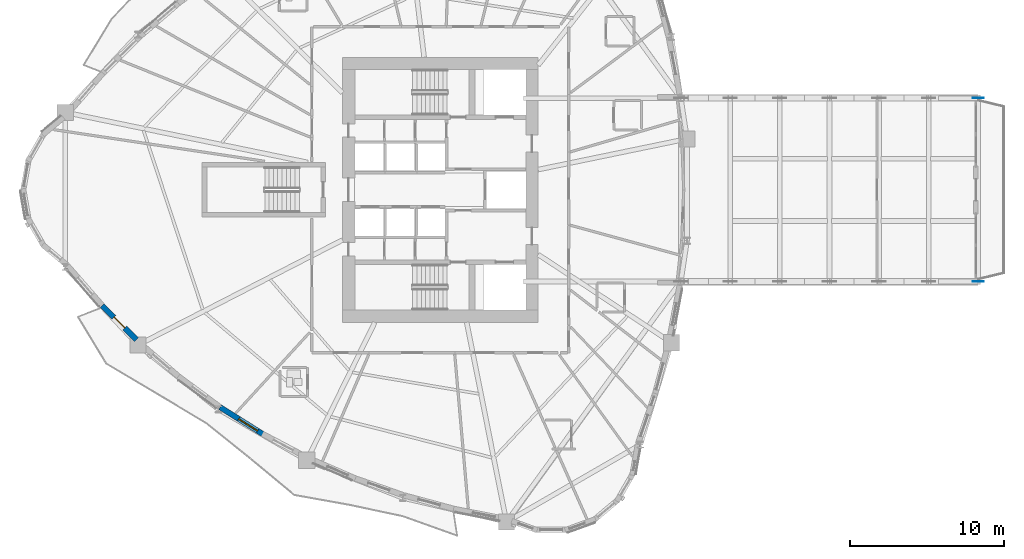
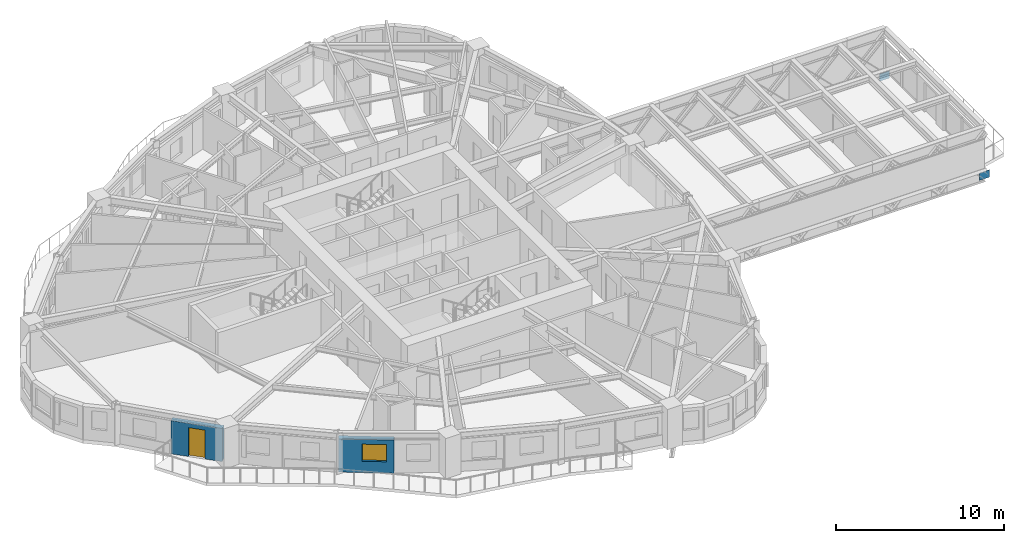
# One storey, part 5 of 18: 2 plates, 2 walls, 1 door, 1 window, 2 openings.
"""IFC4 building model written with IfcOpenShell, lengths in metres."""

import ifcopenshell
import ifcopenshell.guid

model = None  # the IFC model being written
_history = None  # IfcOwnerHistory: only IFC2X3 demands one
_inside = {}  # id of a spatial element -> (the spatial element, [elements in it])
_under = {}  # id of a project, library or spatial element -> (it, [spatial elements below it])
_declared = {}  # id of a project -> (the project, [libraries it declares])
_typed = {}  # id of a type object -> (the type object, [elements of that type])
_made_of = {}  # id of a material, layer set ... -> (it, [elements and type objects made of it])


def new_model(schema):
    """Start an empty IFC model of exactly this schema.

    Asked for "IFC4X3", IfcOpenShell would pick the latest addendum, in which some entities
    have other attributes; the version numbers below select the first issue.
    IFC2X3 requires an IfcOwnerHistory on every rooted entity: one is made here for all.
    """
    global model, _history
    if schema == "IFC4X3":
        model = ifcopenshell.file(schema_version=(4, 3, 0, 0))
    else:
        model = ifcopenshell.file(schema=schema)
    _inside.clear()
    _under.clear()
    _declared.clear()
    _typed.clear()
    _made_of.clear()
    _history = None
    if model.schema == "IFC2X3":
        org = make("IfcOrganization", Name="unknown")
        user = make(
            "IfcPersonAndOrganization",
            ThePerson=make("IfcPerson", FamilyName="unknown"),
            TheOrganization=org,
        )
        app = make(
            "IfcApplication",
            ApplicationDeveloper=org,
            Version="unknown",
            ApplicationFullName="unknown",
            ApplicationIdentifier="unknown",
        )
        _history = make(
            "IfcOwnerHistory",
            OwningUser=user,
            OwningApplication=app,
            ChangeAction="ADDED",
            CreationDate=0,
        )
    return model


def make(cls, **values):
    """One entity of the class cls with the attributes given. An attribute that is None is left unset."""
    return model.create_entity(
        cls, **{name: value for name, value in values.items() if value is not None}
    )


def rooted(cls, **values):
    """An entity with a GlobalId (a new one), such as an element, a storey or a relation."""
    return make(cls, GlobalId=ifcopenshell.guid.new(), OwnerHistory=_history, **values)


def si_unit(unit_type, name, prefix=None):
    """IfcSIUnit, for example si_unit("LENGTHUNIT", "METRE", prefix="MILLI")."""
    return make("IfcSIUnit", UnitType=unit_type, Prefix=prefix, Name=name)


def assignment(units):
    """IfcUnitAssignment: the units of a project."""
    return None if units is None else make("IfcUnitAssignment", Units=units)


def point(xyz):
    """IfcCartesianPoint."""
    return None if xyz is None else make("IfcCartesianPoint", Coordinates=xyz)


def direction(xyz):
    """IfcDirection."""
    return None if xyz is None else make("IfcDirection", DirectionRatios=xyz)


def frame(location, z_axis=None, x_axis=None):
    """IfcAxis2Placement3D, a coordinate frame: its origin and axes. An axis left out is left unset."""
    return make(
        "IfcAxis2Placement3D",
        Location=point(location),
        Axis=direction(z_axis),
        RefDirection=direction(x_axis),
    )


def frame_2d(location, x_axis=None):
    """IfcAxis2Placement2D, a coordinate frame in the plane: its origin and x axis."""
    return make(
        "IfcAxis2Placement2D", Location=point(location), RefDirection=direction(x_axis)
    )


def origin():
    """The frame at (0, 0, 0) with its axes left unset."""
    return frame((0.0, 0.0, 0.0))


def origin_2d():
    """The frame at (0, 0) in the plane with its x axis left unset."""
    return frame_2d((0.0, 0.0))


def place(relative_to, where):
    """IfcLocalPlacement: puts the frame where relative to a parent placement (None: the world)."""
    return make(
        "IfcLocalPlacement", PlacementRelTo=relative_to, RelativePlacement=where
    )


def context(
    kind, dimensions, precision=None, world=None, true_north=None, identifier=None
):
    """IfcGeometricRepresentationContext, for example the 3D "Model" context."""
    return make(
        "IfcGeometricRepresentationContext",
        ContextIdentifier=identifier,
        ContextType=kind,
        CoordinateSpaceDimension=dimensions,
        Precision=precision,
        WorldCoordinateSystem=world,
        TrueNorth=true_north,
    )


def subcontext(parent, identifier, kind, view, scale=None):
    """IfcGeometricRepresentationSubContext, for example "Body" below "Model"."""
    return make(
        "IfcGeometricRepresentationSubContext",
        ContextIdentifier=identifier,
        ContextType=kind,
        ParentContext=parent,
        TargetScale=scale,
        TargetView=view,
    )


def project(units=None, contexts=None):
    """IfcProject with its units and contexts."""
    return rooted(
        "IfcProject",
        Name="project",
        RepresentationContexts=contexts,
        UnitsInContext=assignment(units),
    )


def spatial(cls, under=None, at=None, **own):
    """A site, building, storey or space (cls), placed at a placement, below another one or the project."""
    s = rooted(cls, ObjectPlacement=at, **own)
    if under is not None:
        _under.setdefault(under.id(), (under, []))[1].append(s)
    return s


def profile(cls, at=None, kind="AREA", **sizes):
    """A parametric profile (cls). Its sizes go by their IFC names, for example OverallWidth=200.0."""
    return make(cls, ProfileType=kind, Position=at, **sizes)


def rectangle(**sizes):
    """IfcRectangleProfileDef."""
    return profile("IfcRectangleProfileDef", **sizes)


def extrude(swept, where, along, depth):
    """IfcExtrudedAreaSolid: the profile swept, set in the frame where, extruded along a direction by depth."""
    return make(
        "IfcExtrudedAreaSolid",
        SweptArea=swept,
        Position=where,
        ExtrudedDirection=direction(along),
        Depth=depth,
    )


def shape(context_of_items, identifier, shape_type, items):
    """IfcShapeRepresentation: the items that make up one representation, for example the "Body"."""
    return make(
        "IfcShapeRepresentation",
        ContextOfItems=context_of_items,
        RepresentationIdentifier=identifier,
        RepresentationType=shape_type,
        Items=items,
    )


def source(mapping_origin, context_of_items, identifier, shape_type, items):
    """IfcRepresentationMap: a shape defined once, which mapped items show again and again."""
    return make(
        "IfcRepresentationMap",
        MappingOrigin=mapping_origin,
        MappedRepresentation=shape(context_of_items, identifier, shape_type, items),
    )


def transform(
    local_origin,
    x_axis=None,
    y_axis=None,
    z_axis=None,
    scale=None,
    scale2=None,
    scale3=None,
    uniform=True,
):
    """IfcCartesianTransformationOperator3D, or its non-uniform kind. x_axis, y_axis, z_axis: its Axis1, 2, 3."""
    if uniform:
        return make(
            "IfcCartesianTransformationOperator3D",
            Axis1=direction(x_axis),
            Axis2=direction(y_axis),
            LocalOrigin=point(local_origin),
            Scale=scale,
            Axis3=direction(z_axis),
        )
    return make(
        "IfcCartesianTransformationOperator3DnonUniform",
        Axis1=direction(x_axis),
        Axis2=direction(y_axis),
        LocalOrigin=point(local_origin),
        Scale=scale,
        Axis3=direction(z_axis),
        Scale2=scale2,
        Scale3=scale3,
    )


def mapped(mapping_source, mapping_target):
    """IfcMappedItem: shows the shape of a source again, moved by a transform."""
    return make(
        "IfcMappedItem", MappingSource=mapping_source, MappingTarget=mapping_target
    )


def material(Name=None, Category=None):
    """IfcMaterial."""
    return make("IfcMaterial", Name=Name, Category=Category)


def layer(
    of_material, thickness, ventilated=None, Name=None, Category=None, Priority=None
):
    """IfcMaterialLayer: one layer of a wall or slab, of a material (None: an air gap)."""
    return make(
        "IfcMaterialLayer",
        Material=of_material,
        LayerThickness=thickness,
        IsVentilated=ventilated,
        Name=Name,
        Category=Category,
        Priority=Priority,
    )


def layer_set(layers, Name=None):
    """IfcMaterialLayerSet."""
    return make("IfcMaterialLayerSet", MaterialLayers=layers, LayerSetName=Name)


def made_of(thing, what):
    """Note that an element or type object is made of a material, layer set ...; save() writes the relation."""
    if what is not None:
        _made_of.setdefault(what.id(), (what, []))[1].append(thing)
    return thing


def type_object(cls, material=None, **own):
    """A type object (cls), such as IfcWallType, which elements share."""
    return made_of(rooted(cls, **own), material)


def element(
    cls,
    number,
    at=None,
    inside=None,
    cuts=None,
    type_object=None,
    material=None,
    context=None,
    identifier="Body",
    shape_type=None,
    held_by="IfcProductDefinitionShape",
    body=None,
    shapes=None,
    **own,
):
    """One element of the class cls, such as IfcWall. Its Tag is "e" and its number.

    at: its placement. inside: the storey or other place that contains it. cuts: it is an
    opening in that element (IfcRelVoidsElement). A single representation is given by context,
    identifier, shape_type and body (its items); several are given by shapes. held_by: the class
    of the entity that holds the representations. save() writes the other relations.
    """
    e = rooted(cls, Tag="e%d" % number, ObjectPlacement=at, **own)
    if body is not None:
        shapes = [shape(context, identifier, shape_type, body)]
    if shapes is not None:
        e.Representation = make(held_by, Representations=shapes)
    if inside is not None:
        _inside.setdefault(inside.id(), (inside, []))[1].append(e)
    if cuts is not None:
        rooted(
            "IfcRelVoidsElement", RelatingBuildingElement=cuts, RelatedOpeningElement=e
        )
    if type_object is not None:
        _typed.setdefault(type_object.id(), (type_object, []))[1].append(e)
    return made_of(e, material)


def fill(opening, filler):
    """IfcRelFillsElement: the door or window that sits in an opening."""
    return rooted(
        "IfcRelFillsElement",
        RelatingOpeningElement=opening,
        RelatedBuildingElement=filler,
    )


def aggregate(whole, parts):
    """IfcRelAggregates: a whole, such as a stair, and the parts it consists of."""
    return rooted("IfcRelAggregates", RelatingObject=whole, RelatedObjects=parts)


def save(model, path):
    """Write the relations noted so far, then the file.

    IfcRelAggregates (storeys below a building ...), IfcRelContainedInSpatialStructure (elements
    in a storey), IfcRelDefinesByType, IfcRelAssociatesMaterial and IfcRelDeclares: one each for
    every whole, place, type object, material and project.
    """
    for whole, parts in _under.values():
        aggregate(whole, parts)
    for where, things in _inside.values():
        rooted(
            "IfcRelContainedInSpatialStructure",
            RelatedElements=things,
            RelatingStructure=where,
        )
    for kind, things in _typed.values():
        rooted("IfcRelDefinesByType", RelatedObjects=things, RelatingType=kind)
    for what, things in _made_of.values():
        rooted("IfcRelAssociatesMaterial", RelatedObjects=things, RelatingMaterial=what)
    for by, libraries in _declared.values():
        rooted("IfcRelDeclares", RelatingContext=by, RelatedDefinitions=libraries)
    model.write(path)


model = new_model("IFC4")

# Units and contexts
model_context = context("Model", 3, precision=1e-05, world=origin(), true_north=direction((0.0, 1.0)))
body_context = subcontext(model_context, "Body", "Model", "MODEL_VIEW")
ifc_project = project(units=[si_unit("LENGTHUNIT", "METRE"), si_unit("AREAUNIT", "SQUARE_METRE"), si_unit("VOLUMEUNIT", "CUBIC_METRE"), si_unit("PLANEANGLEUNIT", "RADIAN"), si_unit("MASSUNIT", "GRAM", prefix="KILO")], contexts=[model_context])

# Site, building, storey
site_placement = place(None, origin())
site = spatial("IfcSite", under=ifc_project, at=site_placement, CompositionType="ELEMENT")
building_placement = place(site_placement, origin())
building = spatial("IfcBuilding", under=site, at=building_placement, Name="Qafzar Sky-Pleat Residences", CompositionType="ELEMENT")
storey_placement = place(building_placement, frame((0.0, 0.0, 27.0)))
storey = spatial("IfcBuildingStorey", under=building, at=storey_placement, Name="L07", CompositionType="ELEMENT", Elevation=27.0)

# Plates
ifc_material_1 = material(Name="Steel S355", Category="steel")
ifc_layer_1 = layer(ifc_material_1, 0.030029296875)
ifc_layer_set_1 = layer_set([ifc_layer_1], Name="Steel S355")
plate_type = type_object("IfcPlateType", Name="PLT-NODE-SBN2", PredefinedType="SHEET", material=ifc_layer_set_1)
shared_shape_1 = source(origin(), body_context, "Body", "SweptSolid", [
    extrude(rectangle(XDim=0.699951171875, YDim=0.030029296875, at=origin_2d()), origin(), (0.0, 0.0, 1.0), 0.52001953125),
])
for number, where, z_axis, x_axis, name in (
    (1, (65.25439453125, 31.949951171875, -0.925048828125), (0.0, 0.0, 1.0), (1.0, 0.0, 0.0), "SB-1 Truss Node Plate L6"),
    (2, (65.25439453125, 20.050048828125, -0.925048828125), (0.0, 0.0, 1.0), (1.0, 0.0, 0.0), "SB-1 Truss Node Plate R6"),
):
    element("IfcPlate", number, at=place(storey_placement, frame(where, z_axis=z_axis, x_axis=x_axis)), inside=storey, type_object=plate_type, Name=name, PredefinedType="SHEET", context=body_context, shape_type="MappedRepresentation", body=[
        mapped(shared_shape_1, transform((0.0, 0.0, 0.0), x_axis=(1.0, 0.0, 0.0), y_axis=(0.0, 1.0, 0.0), z_axis=(0.0, 0.0, 1.0), scale=1.0)),
    ])

# Wall, opening, door
ifc_material_2 = material(Name="Precast concrete C40/50 with honed Riyadh limestone", Category="concrete")
ifc_layer_2 = layer(ifc_material_2, 0.35009765625)
ifc_layer_set_2 = layer_set([ifc_layer_2], Name="Precast concrete C40/50 with honed Riyadh limestone")
wall_type = type_object("IfcWallType", Name="WALL-EXT-350", PredefinedType="SOLIDWALL", material=ifc_layer_set_2)
wall_1_placement = place(storey_placement, frame((8.40478515625, 18.495361328125, 0.0), z_axis=(0.0, 0.0, 1.0), x_axis=(0.708380670467, -0.705830592783, 0.0)))
wall_1 = element("IfcWall", 3, at=wall_1_placement, inside=storey, type_object=wall_type, Name="L07 Limestone Facade Wall 8", PredefinedType="SOLIDWALL", context=body_context, shape_type="SweptSolid", body=[
    extrude(rectangle(XDim=3.159423828125, YDim=0.35009765625, at=frame_2d((1.57958984375, 0.0))), origin(), (0.0, 0.0, 1.0), 2.4150390625),
])
opening_1_placement = place(wall_1_placement, frame((1.07958984375, 0.0, 0.0)))
opening_1 = element("IfcOpeningElement", 4, at=opening_1_placement, cuts=wall_1, Name="Opening ED-05", PredefinedType="OPENING", context=body_context, shape_type="SweptSolid", body=[
    extrude(rectangle(XDim=1.0, YDim=2.10009765625, at=frame_2d((0.5, 1.050048828125))), frame((0.0, 0.18505859375, 0.0), z_axis=(0.0, -1.0, 0.0), x_axis=(1.0, 0.0, 0.0)), (0.0, 0.0, 1.0), 0.3701171875),
])
ifc_material_3 = material(Name="Glazed bronze aluminium door", Category="aluminium")
door_type = type_object("IfcDoorType", Name="DR-BAL-1000", OperationType="NOTDEFINED", PredefinedType="DOOR", material=ifc_material_3)
shared_shape_2 = source(origin(), body_context, "Body", "SweptSolid", [
    extrude(rectangle(XDim=1.0, YDim=2.10009765625, at=frame_2d((0.5, 1.050048828125))), frame((0.0, 0.02490234375, 0.0), z_axis=(0.0, -1.0, 0.0), x_axis=(1.0, 0.0, 0.0)), (0.0, 0.0, 1.0), 0.050048828125),
])
door_placement = place(opening_1_placement, origin())
door = element("IfcDoor", 5, at=door_placement, inside=storey, type_object=door_type, Name="L07 Glazed Balcony Door 2", OperationType="SINGLE_SWING_LEFT", OverallHeight=2.10009765625, OverallWidth=1.0, PredefinedType="DOOR", context=body_context, shape_type="MappedRepresentation", body=[
    mapped(shared_shape_2, transform((0.0, 0.0, 0.0), x_axis=(1.0, 0.0, 0.0), y_axis=(0.0, 1.0, 0.0), z_axis=(0.0, 0.0, 1.0), scale=1.0)),
])
fill(opening_1, door)

# Wall, opening, window
wall_2_placement = place(storey_placement, frame((16.06640625, 11.89013671875, 0.0), z_axis=(0.0, 0.0, 1.0), x_axis=(0.846403135518, -0.532542704565, 0.0)))
wall_2 = element("IfcWall", 6, at=wall_2_placement, inside=storey, type_object=wall_type, Name="L07 Limestone Facade Wall 11", PredefinedType="SOLIDWALL", context=body_context, shape_type="SweptSolid", body=[
    extrude(rectangle(XDim=3.326904296875, YDim=0.35009765625, at=frame_2d((1.66357421875, 0.0))), origin(), (0.0, 0.0, 1.0), 2.4150390625),
])
opening_2_placement = place(wall_2_placement, frame((1.423583984375, 0.0, 0.820068359375)))
opening_2 = element("IfcOpeningElement", 7, at=opening_2_placement, cuts=wall_2, Name="Opening WN-15", PredefinedType="OPENING", context=body_context, shape_type="SweptSolid", body=[
    extrude(rectangle(XDim=1.449951171875, YDim=1.25, at=frame_2d((0.72509765625, 0.625))), frame((0.0, 0.18505859375, 0.0), z_axis=(0.0, -1.0, 0.0), x_axis=(1.0, 0.0, 0.0)), (0.0, 0.0, 1.0), 0.3701171875),
])
ifc_material_4 = material(Name="Solar-control low-E glass in bronze aluminium frame", Category="glass")
window_type = type_object("IfcWindowType", Name="WIN-15", PartitioningType="SINGLE_PANEL", PredefinedType="WINDOW", material=ifc_material_4)
shared_shape_3 = source(origin(), body_context, "Body", "SweptSolid", [
    extrude(rectangle(XDim=1.449951171875, YDim=1.25, at=frame_2d((0.72509765625, 0.625))), frame((0.0, 0.030029296875, 0.0), z_axis=(0.0, -1.0, 0.0), x_axis=(1.0, 0.0, 0.0)), (0.0, 0.0, 1.0), 0.06005859375),
])
window_placement = place(opening_2_placement, origin())
window = element("IfcWindow", 8, at=window_placement, inside=storey, type_object=window_type, Name="L07 Punched Facade Window 11-2", OverallHeight=1.25, OverallWidth=1.449951171875, PartitioningType="SINGLE_PANEL", PredefinedType="WINDOW", context=body_context, shape_type="MappedRepresentation", body=[
    mapped(shared_shape_3, transform((0.0, 0.0, 0.0), x_axis=(1.0, 0.0, 0.0), y_axis=(0.0, 1.0, 0.0), z_axis=(0.0, 0.0, 1.0), scale=1.0)),
])
fill(opening_2, window)

save(model, "model.ifc")
